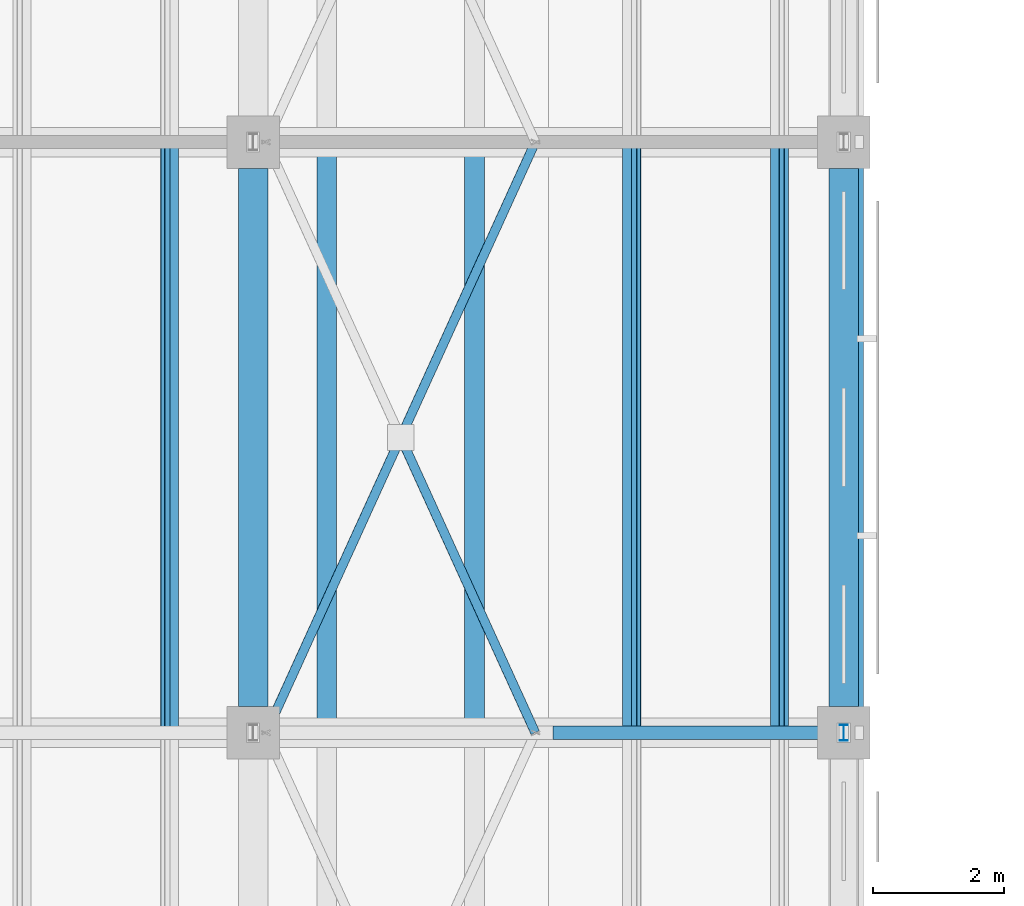
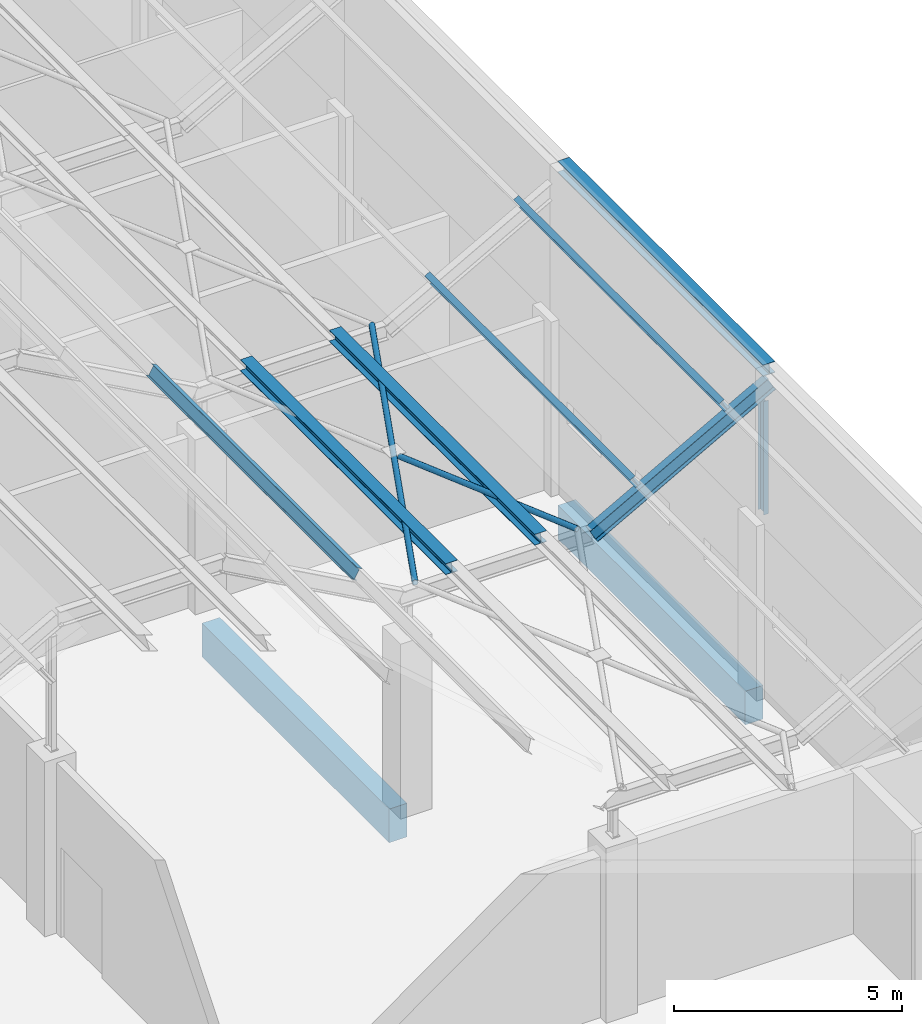
# One storey, part 43 of 437: 10 members, 2 beams.
"""IFC4 building model written with IfcOpenShell, lengths in metres."""

import ifcopenshell
import ifcopenshell.guid

model = None  # the IFC model being written
_history = None  # IfcOwnerHistory: only IFC2X3 demands one
_inside = {}  # id of a spatial element -> (the spatial element, [elements in it])
_under = {}  # id of a project, library or spatial element -> (it, [spatial elements below it])
_declared = {}  # id of a project -> (the project, [libraries it declares])
_typed = {}  # id of a type object -> (the type object, [elements of that type])
_made_of = {}  # id of a material, layer set ... -> (it, [elements and type objects made of it])


def new_model(schema):
    """Start an empty IFC model of exactly this schema.

    Asked for "IFC4X3", IfcOpenShell would pick the latest addendum, in which some entities
    have other attributes; the version numbers below select the first issue.
    IFC2X3 requires an IfcOwnerHistory on every rooted entity: one is made here for all.
    """
    global model, _history
    if schema == "IFC4X3":
        model = ifcopenshell.file(schema_version=(4, 3, 0, 0))
    else:
        model = ifcopenshell.file(schema=schema)
    _inside.clear()
    _under.clear()
    _declared.clear()
    _typed.clear()
    _made_of.clear()
    _history = None
    if model.schema == "IFC2X3":
        org = make("IfcOrganization", Name="unknown")
        user = make(
            "IfcPersonAndOrganization",
            ThePerson=make("IfcPerson", FamilyName="unknown"),
            TheOrganization=org,
        )
        app = make(
            "IfcApplication",
            ApplicationDeveloper=org,
            Version="unknown",
            ApplicationFullName="unknown",
            ApplicationIdentifier="unknown",
        )
        _history = make(
            "IfcOwnerHistory",
            OwningUser=user,
            OwningApplication=app,
            ChangeAction="ADDED",
            CreationDate=0,
        )
    return model


def make(cls, **values):
    """One entity of the class cls with the attributes given. An attribute that is None is left unset."""
    return model.create_entity(
        cls, **{name: value for name, value in values.items() if value is not None}
    )


def rooted(cls, **values):
    """An entity with a GlobalId (a new one), such as an element, a storey or a relation."""
    return make(cls, GlobalId=ifcopenshell.guid.new(), OwnerHistory=_history, **values)


def si_unit(unit_type, name, prefix=None):
    """IfcSIUnit, for example si_unit("LENGTHUNIT", "METRE", prefix="MILLI")."""
    return make("IfcSIUnit", UnitType=unit_type, Prefix=prefix, Name=name)


def assignment(units):
    """IfcUnitAssignment: the units of a project."""
    return None if units is None else make("IfcUnitAssignment", Units=units)


def point(xyz):
    """IfcCartesianPoint."""
    return None if xyz is None else make("IfcCartesianPoint", Coordinates=xyz)


def direction(xyz):
    """IfcDirection."""
    return None if xyz is None else make("IfcDirection", DirectionRatios=xyz)


def frame(location, z_axis=None, x_axis=None):
    """IfcAxis2Placement3D, a coordinate frame: its origin and axes. An axis left out is left unset."""
    return make(
        "IfcAxis2Placement3D",
        Location=point(location),
        Axis=direction(z_axis),
        RefDirection=direction(x_axis),
    )


def frame_2d(location, x_axis=None):
    """IfcAxis2Placement2D, a coordinate frame in the plane: its origin and x axis."""
    return make(
        "IfcAxis2Placement2D", Location=point(location), RefDirection=direction(x_axis)
    )


def origin():
    """The frame at (0, 0, 0) with its axes left unset."""
    return frame((0.0, 0.0, 0.0))


def origin_2d():
    """The frame at (0, 0) in the plane with its x axis left unset."""
    return frame_2d((0.0, 0.0))


def place(relative_to, where):
    """IfcLocalPlacement: puts the frame where relative to a parent placement (None: the world)."""
    return make(
        "IfcLocalPlacement", PlacementRelTo=relative_to, RelativePlacement=where
    )


def context(
    kind, dimensions, precision=None, world=None, true_north=None, identifier=None
):
    """IfcGeometricRepresentationContext, for example the 3D "Model" context."""
    return make(
        "IfcGeometricRepresentationContext",
        ContextIdentifier=identifier,
        ContextType=kind,
        CoordinateSpaceDimension=dimensions,
        Precision=precision,
        WorldCoordinateSystem=world,
        TrueNorth=true_north,
    )


def subcontext(parent, identifier, kind, view, scale=None):
    """IfcGeometricRepresentationSubContext, for example "Body" below "Model"."""
    return make(
        "IfcGeometricRepresentationSubContext",
        ContextIdentifier=identifier,
        ContextType=kind,
        ParentContext=parent,
        TargetScale=scale,
        TargetView=view,
    )


def project(units=None, contexts=None):
    """IfcProject with its units and contexts."""
    return rooted(
        "IfcProject",
        Name="project",
        RepresentationContexts=contexts,
        UnitsInContext=assignment(units),
    )


def spatial(cls, under=None, at=None, **own):
    """A site, building, storey or space (cls), placed at a placement, below another one or the project."""
    s = rooted(cls, ObjectPlacement=at, **own)
    if under is not None:
        _under.setdefault(under.id(), (under, []))[1].append(s)
    return s


def profile(cls, at=None, kind="AREA", **sizes):
    """A parametric profile (cls). Its sizes go by their IFC names, for example OverallWidth=200.0."""
    return make(cls, ProfileType=kind, Position=at, **sizes)


def rectangle(**sizes):
    """IfcRectangleProfileDef."""
    return profile("IfcRectangleProfileDef", **sizes)


def hollow_circle(**sizes):
    """IfcCircleHollowProfileDef."""
    return profile("IfcCircleHollowProfileDef", **sizes)


def i_section(**sizes):
    """IfcIShapeProfileDef."""
    return profile("IfcIShapeProfileDef", **sizes)


def extrude(swept, where, along, depth):
    """IfcExtrudedAreaSolid: the profile swept, set in the frame where, extruded along a direction by depth."""
    return make(
        "IfcExtrudedAreaSolid",
        SweptArea=swept,
        Position=where,
        ExtrudedDirection=direction(along),
        Depth=depth,
    )


def shape(context_of_items, identifier, shape_type, items):
    """IfcShapeRepresentation: the items that make up one representation, for example the "Body"."""
    return make(
        "IfcShapeRepresentation",
        ContextOfItems=context_of_items,
        RepresentationIdentifier=identifier,
        RepresentationType=shape_type,
        Items=items,
    )


def material(Name=None, Category=None):
    """IfcMaterial."""
    return make("IfcMaterial", Name=Name, Category=Category)


def material_profile(
    of_material, cross_section, Name=None, Category=None, Priority=None
):
    """IfcMaterialProfile: a cross section and its material."""
    return make(
        "IfcMaterialProfile",
        Name=Name,
        Material=of_material,
        Profile=cross_section,
        Priority=Priority,
        Category=Category,
    )


def profile_set(profiles, Name=None, composite=None):
    """IfcMaterialProfileSet."""
    return make(
        "IfcMaterialProfileSet",
        Name=Name,
        MaterialProfiles=profiles,
        CompositeProfile=composite,
    )


def made_of(thing, what):
    """Note that an element or type object is made of a material, layer set ...; save() writes the relation."""
    if what is not None:
        _made_of.setdefault(what.id(), (what, []))[1].append(thing)
    return thing


def type_object(cls, material=None, **own):
    """A type object (cls), such as IfcWallType, which elements share."""
    return made_of(rooted(cls, **own), material)


def element(
    cls,
    number,
    at=None,
    inside=None,
    cuts=None,
    type_object=None,
    material=None,
    context=None,
    identifier="Body",
    shape_type=None,
    held_by="IfcProductDefinitionShape",
    body=None,
    shapes=None,
    **own,
):
    """One element of the class cls, such as IfcWall. Its Tag is "e" and its number.

    at: its placement. inside: the storey or other place that contains it. cuts: it is an
    opening in that element (IfcRelVoidsElement). A single representation is given by context,
    identifier, shape_type and body (its items); several are given by shapes. held_by: the class
    of the entity that holds the representations. save() writes the other relations.
    """
    e = rooted(cls, Tag="e%d" % number, ObjectPlacement=at, **own)
    if body is not None:
        shapes = [shape(context, identifier, shape_type, body)]
    if shapes is not None:
        e.Representation = make(held_by, Representations=shapes)
    if inside is not None:
        _inside.setdefault(inside.id(), (inside, []))[1].append(e)
    if cuts is not None:
        rooted(
            "IfcRelVoidsElement", RelatingBuildingElement=cuts, RelatedOpeningElement=e
        )
    if type_object is not None:
        _typed.setdefault(type_object.id(), (type_object, []))[1].append(e)
    return made_of(e, material)


def aggregate(whole, parts):
    """IfcRelAggregates: a whole, such as a stair, and the parts it consists of."""
    return rooted("IfcRelAggregates", RelatingObject=whole, RelatedObjects=parts)


def save(model, path):
    """Write the relations noted so far, then the file.

    IfcRelAggregates (storeys below a building ...), IfcRelContainedInSpatialStructure (elements
    in a storey), IfcRelDefinesByType, IfcRelAssociatesMaterial and IfcRelDeclares: one each for
    every whole, place, type object, material and project.
    """
    for whole, parts in _under.values():
        aggregate(whole, parts)
    for where, things in _inside.values():
        rooted(
            "IfcRelContainedInSpatialStructure",
            RelatedElements=things,
            RelatingStructure=where,
        )
    for kind, things in _typed.values():
        rooted("IfcRelDefinesByType", RelatedObjects=things, RelatingType=kind)
    for what, things in _made_of.values():
        rooted("IfcRelAssociatesMaterial", RelatedObjects=things, RelatingMaterial=what)
    for by, libraries in _declared.values():
        rooted("IfcRelDeclares", RelatingContext=by, RelatedDefinitions=libraries)
    model.write(path)


model = new_model("IFC4")

# Units and contexts
model_context = context("Model", 3, precision=1e-05, world=origin(), true_north=direction((0.0, 1.0)))
body_context = subcontext(model_context, "Body", "Model", "MODEL_VIEW")
ifc_project = project(units=[si_unit("LENGTHUNIT", "METRE"), si_unit("AREAUNIT", "SQUARE_METRE"), si_unit("VOLUMEUNIT", "CUBIC_METRE"), si_unit("PLANEANGLEUNIT", "RADIAN"), si_unit("MASSUNIT", "GRAM", prefix="KILO")], contexts=[model_context])

# Site, building, storey
site_placement = place(None, origin())
site = spatial("IfcSite", under=ifc_project, at=site_placement, CompositionType="ELEMENT")
building_placement = place(site_placement, origin())
building = spatial("IfcBuilding", under=site, at=building_placement, Name="Opaline Strait Convention Centre", CompositionType="ELEMENT")
storey_placement = place(building_placement, frame((0.0, 0.0, 11.5)))
storey = spatial("IfcBuildingStorey", under=building, at=storey_placement, Name="L02", CompositionType="ELEMENT", Elevation=11.5)

# Members
ifc_material_1 = material(Name="Steel Q355B", Category="steel")
ifc_material_profile_1 = material_profile(ifc_material_1, i_section(OverallWidth=0.300048828125, OverallDepth=0.300048828125, WebThickness=0.010009765625, FlangeThickness=0.014892578125, FilletRadius=0.012939453125, at=origin_2d()), Name="HW 300x300x10x15")
ifc_profile_set_1 = profile_set([ifc_material_profile_1], Name="Steel Q355B")
member_type_1 = type_object("IfcMemberType", Name="Crest purlin HW 300x300x10x15", PredefinedType="PURLIN", material=ifc_profile_set_1)
for number, where, z_axis, x_axis, name in (
    (1, (73.125, 36.0, 5.949951171875), (0.0, 1.0, 0.0), (-1.0, 0.0, 0.0), "RU1 purlin facet 15 line 1"),
    (2, (75.375, 36.0, 5.949951171875), (0.0, 1.0, 0.0), (-1.0, 0.0, 0.0), "RU1 purlin facet 15 line 2"),
    (3, (81.14990234375, 36.0, 8.449951171875), (0.0, 1.0, 0.0), (-1.0, 0.0, 0.0), "RU1 purlin facet 17 line 1"),
):
    element("IfcMember", number, at=place(storey_placement, frame(where, z_axis=z_axis, x_axis=x_axis)), inside=storey, type_object=member_type_1, Name=name, PredefinedType="PURLIN", context=body_context, shape_type="SweptSolid", body=[
        extrude(i_section(OverallWidth=0.300048828125, OverallDepth=0.300048828125, WebThickness=0.010009765625, FlangeThickness=0.014892578125, FilletRadius=0.012939453125, at=origin_2d()), origin(), (0.0, 0.0, 1.0), 9.0),
    ])

# Beams
ifc_material_2 = material(Name="Concrete C35", Category="concrete")
ifc_material_profile_2 = material_profile(ifc_material_2, rectangle(XDim=0.449951171875, YDim=0.89990234375, at=origin_2d()), Name="RC 450x900")
ifc_profile_set_2 = profile_set([ifc_material_profile_2], Name="Concrete C35")
beam_type = type_object("IfcBeamType", Name="RC beam 450x900 C35", PredefinedType="BEAM", material=ifc_profile_set_2)
for number, where, z_axis, x_axis, name in (
    (4, (72.0, 36.39990234375, -0.72998046875), (0.0, 1.0, 0.0), (-1.0, 0.0, 0.0), "XB1 L02 72/36-72/45"),
    (5, (81.0, 36.39990234375, -0.72998046875), (0.0, 1.0, 0.0), (-1.0, 0.0, 0.0), "XB1 L02 81/36-81/45"),
):
    element("IfcBeam", number, at=place(storey_placement, frame(where, z_axis=z_axis, x_axis=x_axis)), inside=storey, type_object=beam_type, Name=name, PredefinedType="BEAM", context=body_context, shape_type="SweptSolid", body=[
        extrude(rectangle(XDim=0.449951171875, YDim=0.89990234375, at=origin_2d()), origin(), (0.0, 0.0, 1.0), 8.2001953125),
    ])

# Members
ifc_material_profile_3 = material_profile(ifc_material_1, hollow_circle(Radius=0.070068359375, WallThickness=0.0048828125, at=origin_2d()), Name="CHS 140x5")
ifc_profile_set_3 = profile_set([ifc_material_profile_3], Name="Steel Q355B")
member_type_2 = type_object("IfcMemberType", Name="Roof bracing CHS 140x5", PredefinedType="BRACE", material=ifc_profile_set_3)
member_1_placement = place(storey_placement, frame((72.199951171875, 36.0, 5.8701171875), z_axis=(0.414572789354, 0.910016154981, 0.0), x_axis=(-0.910016154981, 0.414572789354, 0.0)))
element("IfcMember", 6, at=member_1_placement, inside=storey, type_object=member_type_2, Name="RX1 roof brace bay 4 at 72", PredefinedType="BRACE", context=body_context, shape_type="SweptSolid", body=[
    extrude(hollow_circle(Radius=0.070068359375, WallThickness=0.0048828125, at=origin_2d()), origin(), (0.0, 0.0, 1.0), 9.889892578125),
])
member_2_placement = place(storey_placement, frame((76.300048828125, 36.0, 5.8701171875), z_axis=(-0.41458243593, 0.910011760264, 0.0), x_axis=(-0.910011760264, -0.41458243593, 0.0)))
element("IfcMember", 7, at=member_2_placement, inside=storey, type_object=member_type_2, Name="RX1 roof brace bay 4 at 72", PredefinedType="BRACE", context=body_context, shape_type="SweptSolid", body=[
    extrude(hollow_circle(Radius=0.070068359375, WallThickness=0.0048828125, at=origin_2d()), origin(), (0.0, 0.0, 1.0), 4.789306640625),
])
ifc_material_profile_4 = material_profile(ifc_material_1, i_section(OverallWidth=0.125, OverallDepth=0.25, WebThickness=0.006103515625, FlangeThickness=0.009033203125, FilletRadius=0.008056640625, at=origin_2d()), Name="HN 250x125x6x9")
ifc_profile_set_4 = profile_set([ifc_material_profile_4], Name="Steel Q355B")
member_type_3 = type_object("IfcMemberType", Name="Roof post HN 250x125x6x9", PredefinedType="STRUT", material=ifc_profile_set_4)
member_3_placement = place(storey_placement, frame((81.0, 36.0, 4.68994140625), z_axis=(0.0, 0.0, 1.0), x_axis=(1.0, 0.0, 0.0)))
element("IfcMember", 8, at=member_3_placement, inside=storey, type_object=member_type_3, Name="RP1 roof post at 81/36", PredefinedType="STRUT", context=body_context, shape_type="SweptSolid", body=[
    extrude(i_section(OverallWidth=0.125, OverallDepth=0.25, WebThickness=0.006103515625, FlangeThickness=0.009033203125, FilletRadius=0.008056640625, at=origin_2d()), origin(), (0.0, 0.0, 1.0), 3.031005859375),
])
ifc_material_profile_5 = material_profile(ifc_material_1, i_section(OverallWidth=0.14990234375, OverallDepth=0.300048828125, WebThickness=0.006591796875, FlangeThickness=0.009033203125, FilletRadius=0.012939453125, at=origin_2d()), Name="HN 300x150x6.5x9")
ifc_profile_set_5 = profile_set([ifc_material_profile_5], Name="Steel Q355B")
member_type_4 = type_object("IfcMemberType", Name="Roof purlin HN 300x150x6.5x9", PredefinedType="PURLIN", material=ifc_profile_set_5)
for number, where, z_axis, x_axis, name in (
    (9, (70.729248046875, 36.0, 6.61279296875), (0.0, 1.0, 0.0), (-0.874157310866, 0.0, 0.485642868639), "RU1 purlin facet 14 line 2"),
    (10, (77.770751953125, 36.0, 6.61279296875), (0.0, 1.0, 0.0), (-0.874157310866, 0.0, -0.485642868639), "RU1 purlin facet 16 line 1"),
    (11, (80.020751953125, 36.0, 7.86279296875), (0.0, 1.0, 0.0), (-0.874157310866, 0.0, -0.485642868639), "RU1 purlin facet 16 line 2"),
):
    element("IfcMember", number, at=place(storey_placement, frame(where, z_axis=z_axis, x_axis=x_axis)), inside=storey, type_object=member_type_4, Name=name, PredefinedType="PURLIN", context=body_context, shape_type="SweptSolid", body=[
        extrude(i_section(OverallWidth=0.14990234375, OverallDepth=0.300048828125, WebThickness=0.006591796875, FlangeThickness=0.009033203125, FilletRadius=0.012939453125, at=origin_2d()), origin(), (0.0, 0.0, 1.0), 9.0),
    ])
ifc_material_profile_6 = material_profile(ifc_material_1, i_section(OverallWidth=0.199951171875, OverallDepth=0.39990234375, WebThickness=0.008056640625, FlangeThickness=0.012939453125, FilletRadius=0.012939453125, at=origin_2d()), Name="HN 400x200x8x13")
ifc_profile_set_6 = profile_set([ifc_material_profile_6], Name="Steel Q355B")
member_type_5 = type_object("IfcMemberType", Name="Roof rafter HN 400x200x8x13", PredefinedType="RAFTER", material=ifc_profile_set_6)
member_4_placement = place(storey_placement, frame((76.66845703125, 36.0, 5.60009765625), z_axis=(0.874157276122, 0.0, 0.485642931179), x_axis=(0.0, 1.0, 0.0)))
element("IfcMember", 12, at=member_4_placement, inside=storey, type_object=member_type_5, Name="RR1 rafter line 4 facet 17", PredefinedType="RAFTER", context=body_context, shape_type="SweptSolid", body=[
    extrude(i_section(OverallWidth=0.199951171875, OverallDepth=0.39990234375, WebThickness=0.008056640625, FlangeThickness=0.012939453125, FilletRadius=0.012939453125, at=origin_2d()), origin(), (0.0, 0.0, 1.0), 5.147705078125),
])

save(model, "model.ifc")
